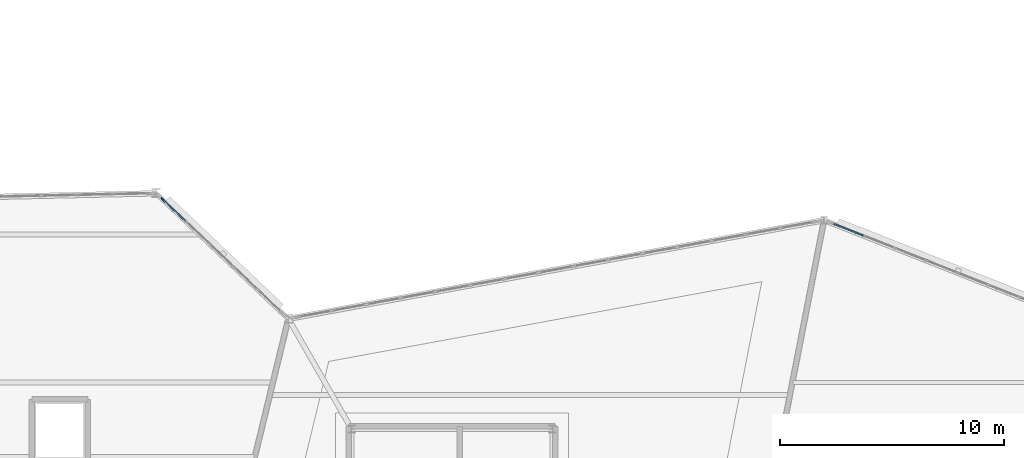
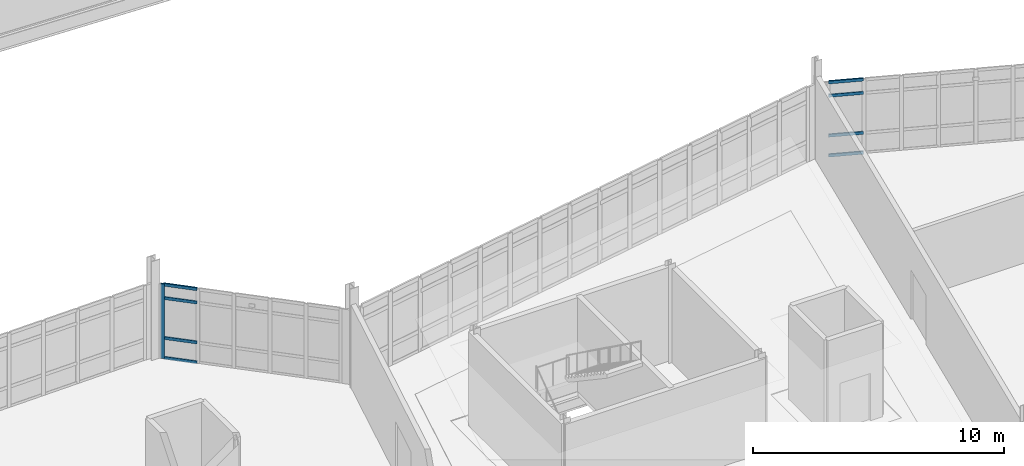
# One storey, part 50 of 134: 9 members, 2 elements without a shape of their own.
"""IFC4 building model written with IfcOpenShell, lengths in metres."""

from ifc_helpers import new_model, si_unit, direction, frame, origin, origin_2d, place, context, subcontext, project, spatial, rectangle, extrude, material, material_profile, profile_set, type_object, element, aggregate, save


model = new_model("IFC4")

# Units and contexts
model_context = context("Model", 3, precision=1e-05, world=origin(), true_north=direction((0.0, 1.0)))
body_context = subcontext(model_context, "Body", "Model", "MODEL_VIEW")
ifc_project = project(units=[si_unit("LENGTHUNIT", "METRE"), si_unit("AREAUNIT", "SQUARE_METRE"), si_unit("VOLUMEUNIT", "CUBIC_METRE"), si_unit("PLANEANGLEUNIT", "RADIAN"), si_unit("MASSUNIT", "GRAM", prefix="KILO")], contexts=[model_context])

# Site, building, storey
site_placement = place(None, origin())
site = spatial("IfcSite", under=ifc_project, at=site_placement, CompositionType="ELEMENT")
building_placement = place(site_placement, origin())
building = spatial("IfcBuilding", under=site, at=building_placement, Name="Tameran Prism Museum", CompositionType="ELEMENT")
storey_placement = place(building_placement, frame((0.0, 0.0, 5.39990234375)))
storey = spatial("IfcBuildingStorey", under=building, at=storey_placement, Name="L01", CompositionType="ELEMENT", Elevation=5.39990234375)

# Curtain wall, members
ifc_material_1 = material(Name="Anodised Aluminium 6063-T6 and Cyclone Solar Glass", Category="aluminium")
curtain_wall_type_1 = type_object("IfcCurtainWallType", Name="CW-FAC-738x362", PredefinedType="USERDEFINED", material=ifc_material_1)
curtain_wall_1_placement = place(storey_placement, origin())
curtain_wall_1 = element("IfcCurtainWall", 1, at=curtain_wall_1_placement, inside=storey, type_object=curtain_wall_type_1, Name="Unitised Curtain Wall CW-067", ObjectType="UNITISED CURTAIN WALL", PredefinedType="USERDEFINED")
ifc_material_2 = material(Name="Anodised Aluminium Alloy 6063-T6", Category="aluminium")
ifc_material_profile_1 = material_profile(ifc_material_2, rectangle(XDim=0.06494140625, YDim=0.159912109375, at=origin_2d()))
ifc_profile_set_1 = profile_set([ifc_material_profile_1])
member_type_1 = type_object("IfcMemberType", Name="CW-MUL-A", PredefinedType="MULLION", material=ifc_profile_set_1)
member_1_placement = place(storey_placement, frame((96.07763671875, 48.336669921875, 0.0), z_axis=(0.0, 0.0, 1.0), x_axis=(0.688425100987, 0.725307438491, 0.0)))
member_1 = element("IfcMember", 2, at=member_1_placement, type_object=member_type_1, Name="CW-067 mullion 1", PredefinedType="MULLION", context=body_context, shape_type="SweptSolid", body=[
    extrude(rectangle(XDim=0.06494140625, YDim=0.159912109375, at=origin_2d()), origin(), (0.0, 0.0, 1.0), 3.6201171875),
])
ifc_material_3 = material(Name="Anodised Aluminium Alloy 6063-T6", Category="aluminium")
ifc_material_profile_2 = material_profile(ifc_material_3, rectangle(XDim=0.06494140625, YDim=0.139892578125, at=origin_2d()))
ifc_profile_set_2 = profile_set([ifc_material_profile_2])
member_type_2 = type_object("IfcMemberType", Name="CW-TRN-A", PredefinedType="USERDEFINED", material=ifc_profile_set_2)
member_2_placement = place(storey_placement, frame((96.10107421875, 48.314208984375, 0.03271484375), z_axis=(0.725384279452, -0.688344134227, 0.0), x_axis=(0.688344134227, 0.725384279452, 0.0)))
member_2 = element("IfcMember", 3, at=member_2_placement, type_object=member_type_2, Name="CW-067 transom 1.1", ObjectType="TRANSOM", PredefinedType="USERDEFINED", context=body_context, shape_type="SweptSolid", body=[
    extrude(rectangle(XDim=0.06494140625, YDim=0.139892578125, at=origin_2d()), origin(), (0.0, 0.0, 1.0), 1.377685546875),
])
member_3_placement = place(storey_placement, frame((96.10107421875, 48.314208984375, 1.0), z_axis=(0.725384279452, -0.688344134227, 0.0), x_axis=(0.688344134227, 0.725384279452, 0.0)))
member_3 = element("IfcMember", 4, at=member_3_placement, type_object=member_type_2, Name="CW-067 transom 1.2", ObjectType="TRANSOM", PredefinedType="USERDEFINED", context=body_context, shape_type="SweptSolid", body=[
    extrude(rectangle(XDim=0.06494140625, YDim=0.139892578125, at=origin_2d()), origin(), (0.0, 0.0, 1.0), 1.377685546875),
])
member_4_placement = place(storey_placement, frame((96.10107421875, 48.314208984375, 2.940185546875), z_axis=(0.725384279452, -0.688344134227, 0.0), x_axis=(0.688344134227, 0.725384279452, 0.0)))
member_4 = element("IfcMember", 5, at=member_4_placement, type_object=member_type_2, Name="CW-067 transom 1.3", ObjectType="TRANSOM", PredefinedType="USERDEFINED", context=body_context, shape_type="SweptSolid", body=[
    extrude(rectangle(XDim=0.06494140625, YDim=0.139892578125, at=origin_2d()), origin(), (0.0, 0.0, 1.0), 1.377685546875),
])
member_5_placement = place(storey_placement, frame((96.10107421875, 48.314208984375, 3.587646484375), z_axis=(0.725384279452, -0.688344134227, 0.0), x_axis=(0.688344134227, 0.725384279452, 0.0)))
member_5 = element("IfcMember", 6, at=member_5_placement, type_object=member_type_2, Name="CW-067 transom 1.4", ObjectType="TRANSOM", PredefinedType="USERDEFINED", context=body_context, shape_type="SweptSolid", body=[
    extrude(rectangle(XDim=0.06494140625, YDim=0.139892578125, at=origin_2d()), origin(), (0.0, 0.0, 1.0), 1.377685546875),
])
aggregate(curtain_wall_1, [member_1, member_2, member_3, member_4, member_5])

ifc_material_4 = material(Name="Anodised Aluminium 6063-T6 and Cyclone Solar Glass", Category="aluminium")
curtain_wall_type_2 = type_object("IfcCurtainWallType", Name="CW-FAC-1197x362", PredefinedType="USERDEFINED", material=ifc_material_4)
curtain_wall_2_placement = place(storey_placement, origin())
curtain_wall_2 = element("IfcCurtainWall", 7, at=curtain_wall_2_placement, inside=storey, type_object=curtain_wall_type_2, Name="Unitised Curtain Wall CW-075", ObjectType="UNITISED CURTAIN WALL", PredefinedType="USERDEFINED")
member_6_placement = place(storey_placement, frame((126.04345703125, 47.22509765625, 0.03271484375), z_axis=(0.930092475076, -0.367325452164, 0.0), x_axis=(0.367325452164, 0.930092475076, 0.0)))
member_6 = element("IfcMember", 8, at=member_6_placement, type_object=member_type_2, Name="CW-075 transom 1.1", ObjectType="TRANSOM", PredefinedType="USERDEFINED", context=body_context, shape_type="SweptSolid", body=[
    extrude(rectangle(XDim=0.06494140625, YDim=0.139892578125, at=origin_2d()), origin(), (0.0, 0.0, 1.0), 1.399169921875),
])
member_7_placement = place(storey_placement, frame((126.04345703125, 47.22509765625, 1.0), z_axis=(0.930092475076, -0.367325452164, 0.0), x_axis=(0.367325452164, 0.930092475076, 0.0)))
member_7 = element("IfcMember", 9, at=member_7_placement, type_object=member_type_2, Name="CW-075 transom 1.2", ObjectType="TRANSOM", PredefinedType="USERDEFINED", context=body_context, shape_type="SweptSolid", body=[
    extrude(rectangle(XDim=0.06494140625, YDim=0.139892578125, at=origin_2d()), origin(), (0.0, 0.0, 1.0), 1.399169921875),
])
member_8_placement = place(storey_placement, frame((126.04345703125, 47.22509765625, 2.940185546875), z_axis=(0.930092475076, -0.367325452164, 0.0), x_axis=(0.367325452164, 0.930092475076, 0.0)))
member_8 = element("IfcMember", 10, at=member_8_placement, type_object=member_type_2, Name="CW-075 transom 1.3", ObjectType="TRANSOM", PredefinedType="USERDEFINED", context=body_context, shape_type="SweptSolid", body=[
    extrude(rectangle(XDim=0.06494140625, YDim=0.139892578125, at=origin_2d()), origin(), (0.0, 0.0, 1.0), 1.399169921875),
])
member_9_placement = place(storey_placement, frame((126.04345703125, 47.22509765625, 3.587646484375), z_axis=(0.930092475076, -0.367325452164, 0.0), x_axis=(0.367325452164, 0.930092475076, 0.0)))
member_9 = element("IfcMember", 11, at=member_9_placement, type_object=member_type_2, Name="CW-075 transom 1.4", ObjectType="TRANSOM", PredefinedType="USERDEFINED", context=body_context, shape_type="SweptSolid", body=[
    extrude(rectangle(XDim=0.06494140625, YDim=0.139892578125, at=origin_2d()), origin(), (0.0, 0.0, 1.0), 1.399169921875),
])
aggregate(curtain_wall_2, [member_6, member_7, member_8, member_9])

save(model, "model.ifc")
